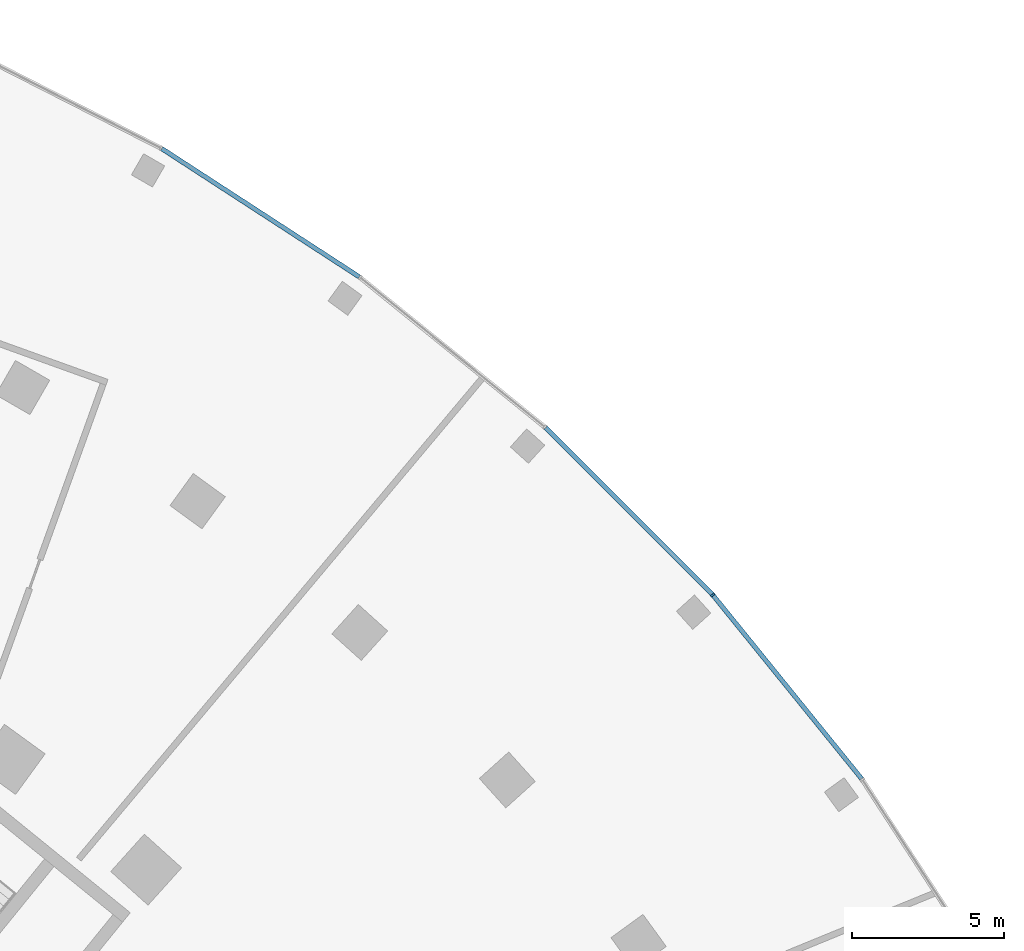
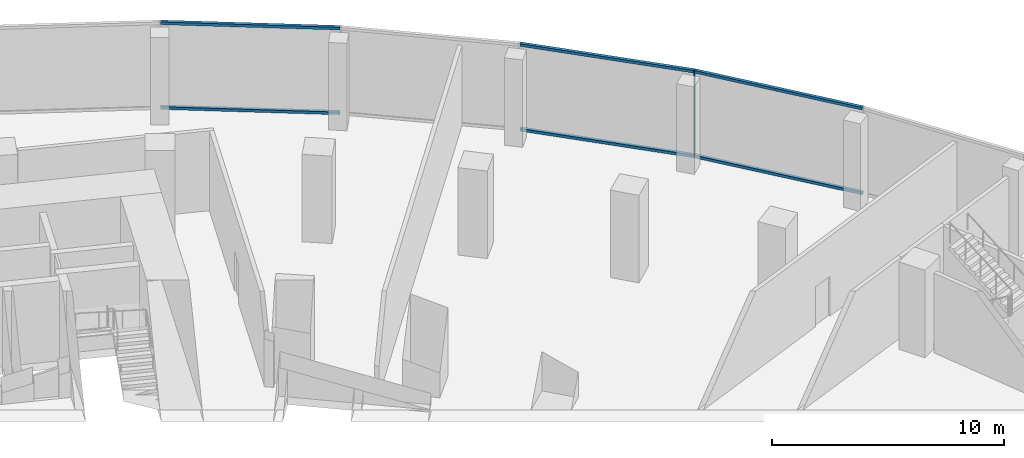
# One storey, part 12 of 40: 7 members, 1 element without a shape of its own.
"""IFC4 building model written with IfcOpenShell, lengths in metres."""

from ifc_helpers import new_model, si_unit, direction, frame, origin, origin_2d, place, context, subcontext, project, spatial, rectangle, extrude, material, layer, layer_set, material_profile, profile_set, type_object, element, aggregate, save


model = new_model("IFC4")

# Units and contexts
model_context = context("Model", 3, precision=1e-05, world=origin(), true_north=direction((0.0, 1.0)))
body_context = subcontext(model_context, "Body", "Model", "MODEL_VIEW")
ifc_project = project(units=[si_unit("LENGTHUNIT", "METRE"), si_unit("AREAUNIT", "SQUARE_METRE"), si_unit("VOLUMEUNIT", "CUBIC_METRE"), si_unit("PLANEANGLEUNIT", "RADIAN"), si_unit("MASSUNIT", "GRAM", prefix="KILO")], contexts=[model_context])

# Site, building, storey
site_placement = place(None, origin())
site = spatial("IfcSite", under=ifc_project, at=site_placement, CompositionType="ELEMENT")
building_placement = place(site_placement, origin())
building = spatial("IfcBuilding", under=site, at=building_placement, Name="Stone Belt Terrace Tower", CompositionType="ELEMENT")
storey_placement = place(building_placement, frame((0.0, 0.0, 7.0)))
storey = spatial("IfcBuildingStorey", under=building, at=storey_placement, Name="L01", CompositionType="ELEMENT", Elevation=7.0)

# Curtain wall, members
ifc_material = material(Name="Aluminium 6063-T6 anodised frame", Category="aluminium")
ifc_layer = layer(ifc_material, 0.14990234375)
ifc_layer_set = layer_set([ifc_layer], Name="CW-D podium shopfront")
curtain_wall_type = type_object("IfcCurtainWallType", Name="CW-D podium shopfront", PredefinedType="NOTDEFINED", material=ifc_layer_set)
curtain_wall_placement = place(storey_placement, origin())
curtain_wall = element("IfcCurtainWall", 1, at=curtain_wall_placement, inside=storey, type_object=curtain_wall_type, Name="CW-D convex face L01", PredefinedType="NOTDEFINED")
ifc_material_profile_1 = material_profile(ifc_material, rectangle(XDim=0.14990234375, YDim=0.06005859375, at=origin_2d()), Name="Aluminium 6063-T6 60x150")
ifc_profile_set_1 = profile_set([ifc_material_profile_1], Name="Aluminium 6063-T6 anodised frame")
member_type_1 = type_object("IfcMemberType", Name="CW-D mullion 60 x 150", PredefinedType="MULLION", material=ifc_profile_set_1)
member_1_placement = place(storey_placement, frame((55.420166015625, 49.900390625, 0.0), z_axis=(0.0, 0.0, 1.0), x_axis=(-0.743144825477, -0.669130606359, 0.0)))
member_1 = element("IfcMember", 2, at=member_1_placement, type_object=member_type_1, Name="CW-D mullion 5", PredefinedType="MULLION", context=body_context, shape_type="SweptSolid", body=[
    extrude(rectangle(XDim=0.14990234375, YDim=0.06005859375, at=origin_2d()), origin(), (0.0, 0.0, 1.0), 4.60009765625),
])
ifc_material_profile_2 = material_profile(ifc_material, rectangle(XDim=0.14990234375, YDim=0.139892578125, at=origin_2d()), Name="Aluminium 6063-T6 150x140")
ifc_profile_set_2 = profile_set([ifc_material_profile_2], Name="Aluminium 6063-T6 anodised frame")
member_type_2 = type_object("IfcMemberType", Name="CW-D transom 140 x 150", PredefinedType="USERDEFINED", material=ifc_profile_set_2)
member_2_placement = place(storey_placement, frame((60.311279296875, 43.860595703125, 0.070068359375), z_axis=(-0.62932800712, 0.777139794023, 0.0), x_axis=(-0.777139794023, -0.62932800712, 0.0)))
member_2 = element("IfcMember", 3, at=member_2_placement, type_object=member_type_2, Name="CW-D transom 4.1", ObjectType="TRANSOM", PredefinedType="USERDEFINED", context=body_context, shape_type="SweptSolid", body=[
    extrude(rectangle(XDim=0.14990234375, YDim=0.139892578125, at=origin_2d()), origin(), (0.0, 0.0, 1.0), 7.73828125),
])
member_3_placement = place(storey_placement, frame((60.311279296875, 43.860595703125, 4.530029296875), z_axis=(-0.62932800712, 0.777139794023, 0.0), x_axis=(-0.777139794023, -0.62932800712, 0.0)))
member_3 = element("IfcMember", 4, at=member_3_placement, type_object=member_type_2, Name="CW-D transom 4.2", ObjectType="TRANSOM", PredefinedType="USERDEFINED", context=body_context, shape_type="SweptSolid", body=[
    extrude(rectangle(XDim=0.14990234375, YDim=0.139892578125, at=origin_2d()), origin(), (0.0, 0.0, 1.0), 7.73828125),
])
member_4_placement = place(storey_placement, frame((55.396240234375, 49.924560546875, 0.070068359375), z_axis=(-0.707106781187, 0.707106781187, 0.0), x_axis=(-0.707106781187, -0.707106781187, 0.0)))
member_4 = element("IfcMember", 5, at=member_4_placement, type_object=member_type_2, Name="CW-D transom 5.1", ObjectType="TRANSOM", PredefinedType="USERDEFINED", context=body_context, shape_type="SweptSolid", body=[
    extrude(rectangle(XDim=0.14990234375, YDim=0.139892578125, at=origin_2d()), origin(), (0.0, 0.0, 1.0), 7.738037109375),
])
member_5_placement = place(storey_placement, frame((55.396240234375, 49.924560546875, 4.530029296875), z_axis=(-0.707106781187, 0.707106781187, 0.0), x_axis=(-0.707106781187, -0.707106781187, 0.0)))
member_5 = element("IfcMember", 6, at=member_5_placement, type_object=member_type_2, Name="CW-D transom 5.2", ObjectType="TRANSOM", PredefinedType="USERDEFINED", context=body_context, shape_type="SweptSolid", body=[
    extrude(rectangle(XDim=0.14990234375, YDim=0.139892578125, at=origin_2d()), origin(), (0.0, 0.0, 1.0), 7.738037109375),
])
member_6_placement = place(storey_placement, frame((43.8056640625, 60.35107421875, 0.070068359375), z_axis=(-0.83867853224, 0.54462677088, 0.0), x_axis=(-0.54462677088, -0.83867853224, 0.0)))
member_6 = element("IfcMember", 7, at=member_6_placement, type_object=member_type_2, Name="CW-D transom 7.1", ObjectType="TRANSOM", PredefinedType="USERDEFINED", context=body_context, shape_type="SweptSolid", body=[
    extrude(rectangle(XDim=0.14990234375, YDim=0.139892578125, at=origin_2d()), origin(), (0.0, 0.0, 1.0), 7.738037109375),
])
member_7_placement = place(storey_placement, frame((43.8056640625, 60.35107421875, 4.530029296875), z_axis=(-0.83867853224, 0.54462677088, 0.0), x_axis=(-0.54462677088, -0.83867853224, 0.0)))
member_7 = element("IfcMember", 8, at=member_7_placement, type_object=member_type_2, Name="CW-D transom 7.2", ObjectType="TRANSOM", PredefinedType="USERDEFINED", context=body_context, shape_type="SweptSolid", body=[
    extrude(rectangle(XDim=0.14990234375, YDim=0.139892578125, at=origin_2d()), origin(), (0.0, 0.0, 1.0), 7.738037109375),
])
aggregate(curtain_wall, [member_1, member_2, member_3, member_4, member_5, member_6, member_7])

save(model, "model.ifc")
